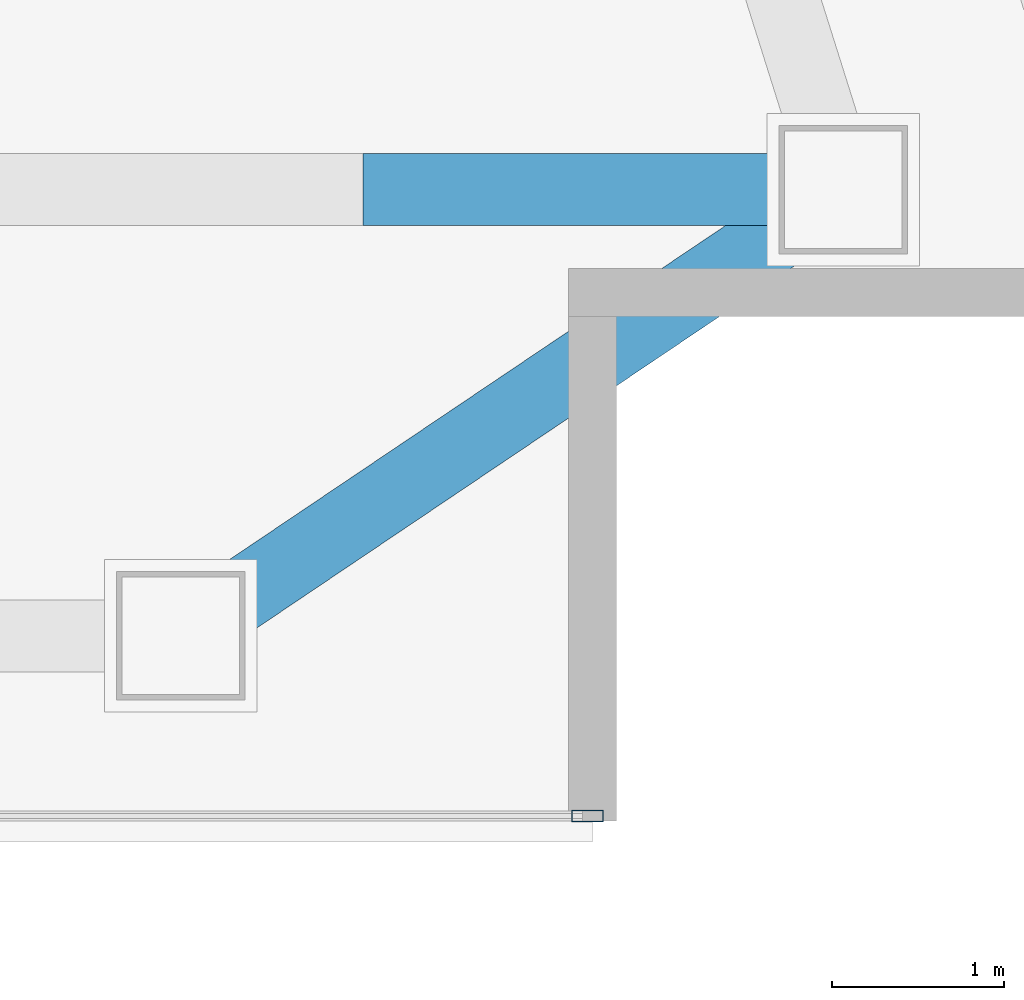
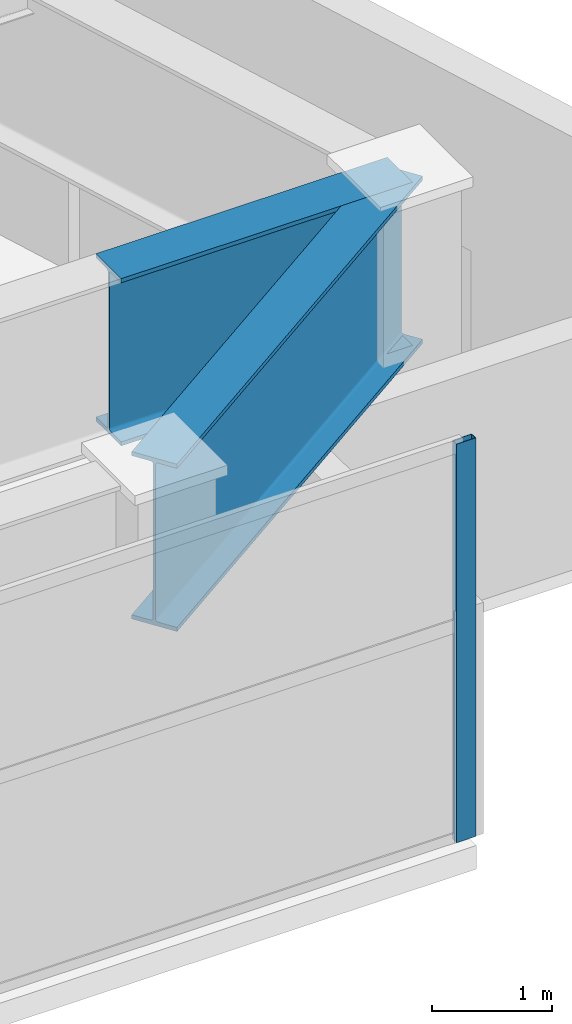
# One storey, part 15 of 30: 2 beams, 1 member, 1 element without a shape of its own.
"""IFC4 building model written with IfcOpenShell, lengths in metres."""

from ifc_helpers import new_model, si_unit, direction, frame, origin, origin_2d, place, context, subcontext, project, spatial, hollow_rectangle, i_section, extrude, material, layer, layer_set, material_profile, profile_set, type_object, element, aggregate, save


model = new_model("IFC4")

# Units and contexts
model_context = context("Model", 3, precision=1e-05, world=origin(), true_north=direction((0.0, 1.0)))
body_context = subcontext(model_context, "Body", "Model", "MODEL_VIEW")
ifc_project = project(units=[si_unit("LENGTHUNIT", "METRE"), si_unit("AREAUNIT", "SQUARE_METRE"), si_unit("VOLUMEUNIT", "CUBIC_METRE"), si_unit("PLANEANGLEUNIT", "RADIAN"), si_unit("MASSUNIT", "GRAM", prefix="KILO")], contexts=[model_context])

# Site, building, storey
site_placement = place(None, origin())
site = spatial("IfcSite", under=ifc_project, at=site_placement, CompositionType="ELEMENT")
building_placement = place(site_placement, origin())
building = spatial("IfcBuilding", under=site, at=building_placement, Name="Calvorn Quay Hotel", CompositionType="ELEMENT")
storey_placement = place(building_placement, frame((0.0, 0.0, 195.10009765625)))
storey = spatial("IfcBuildingStorey", under=building, at=storey_placement, Name="L48", CompositionType="ELEMENT", Elevation=195.10009765625)

# Beams
ifc_material_1 = material(Name="Steel Q420GJC", Category="steel")
ifc_material_profile_1 = material_profile(ifc_material_1, i_section(OverallWidth=0.419921875, OverallDepth=1.699951171875, WebThickness=0.02392578125, FlangeThickness=0.0419921875, FilletRadius=0.02392578125, at=origin_2d()), Name="HN1700x420x24x42")
ifc_profile_set_1 = profile_set([ifc_material_profile_1], Name="Steel Q420GJC")
beam_type = type_object("IfcBeamType", Name="BM-XFER-SAWTOOTH", PredefinedType="BEAM", material=ifc_profile_set_1)
beam_1_placement = place(storey_placement, frame((50.4609375, 6.199951171875, 3.199951171875), z_axis=(1.0, 0.0, 0.0), x_axis=(0.0, 1.0, 0.0)))
element("IfcBeam", 1, at=beam_1_placement, inside=storey, type_object=beam_type, Name="Beam BTG-L48-C-ET1B", PredefinedType="BEAM", context=body_context, shape_type="SweptSolid", body=[
    extrude(i_section(OverallWidth=0.419921875, OverallDepth=1.699951171875, WebThickness=0.02392578125, FlangeThickness=0.0419921875, FilletRadius=0.02392578125, at=origin_2d()), origin(), (0.0, 0.0, 1.0), 2.800048828125),
])
beam_2_placement = place(storey_placement, frame((49.39990234375, 3.60009765625, 3.199951171875), z_axis=(0.829483542357, 0.558531156659, 0.0), x_axis=(-0.558531156659, 0.829483542357, 0.0)))
element("IfcBeam", 2, at=beam_2_placement, inside=storey, type_object=beam_type, Name="Beam BSP-L48-S6", PredefinedType="BEAM", context=body_context, shape_type="SweptSolid", body=[
    extrude(i_section(OverallWidth=0.419921875, OverallDepth=1.699951171875, WebThickness=0.02392578125, FlangeThickness=0.0419921875, FilletRadius=0.02392578125, at=origin_2d()), origin(), (0.0, 0.0, 1.0), 4.65478515625),
])

# Curtain wall, member
ifc_material_2 = material(Name="Champagne Bronze Anodised Aluminium and Low-E Glass", Category="aluminium")
ifc_layer = layer(ifc_material_2, 0.219970703125)
ifc_layer_set = layer_set([ifc_layer], Name="CW-SYS-Z3")
curtain_wall_type = type_object("IfcCurtainWallType", Name="CW-SYS-Z3", PredefinedType="NOTDEFINED", material=ifc_layer_set)
curtain_wall_placement = place(storey_placement, origin())
curtain_wall = element("IfcCurtainWall", 3, at=curtain_wall_placement, inside=storey, type_object=curtain_wall_type, Name="Tower South Waterfront Curtain Wall (L48)", PredefinedType="NOTDEFINED")
ifc_material_3 = material(Name="Champagne Bronze Anodised Aluminium 6063-T6", Category="aluminium")
ifc_material_profile_2 = material_profile(ifc_material_3, hollow_rectangle(XDim=0.068115234375, YDim=0.18505859375, WallThickness=0.00390625, at=origin_2d()), Name="ALU-M185x68x4")
ifc_profile_set_2 = profile_set([ifc_material_profile_2], Name="Champagne Bronze Anodised Aluminium 6063-T6")
member_type = type_object("IfcMemberType", Name="CW-SYS-Z3-MUL", PredefinedType="MULLION", material=ifc_profile_set_2)
member_placement = place(storey_placement, frame((51.77001953125, 2.550048828125, 0.0), z_axis=(0.0, 0.0, 1.0), x_axis=(0.0, 1.0, 0.0)))
member = element("IfcMember", 4, at=member_placement, type_object=member_type, Name="CW-L48-S mullion 7", PredefinedType="MULLION", context=body_context, shape_type="SweptSolid", body=[
    extrude(hollow_rectangle(XDim=0.068115234375, YDim=0.18505859375, WallThickness=0.00390625, at=origin_2d()), origin(), (0.0, 0.0, 1.0), 4.0498046875),
])
aggregate(curtain_wall, [member])

save(model, "model.ifc")
